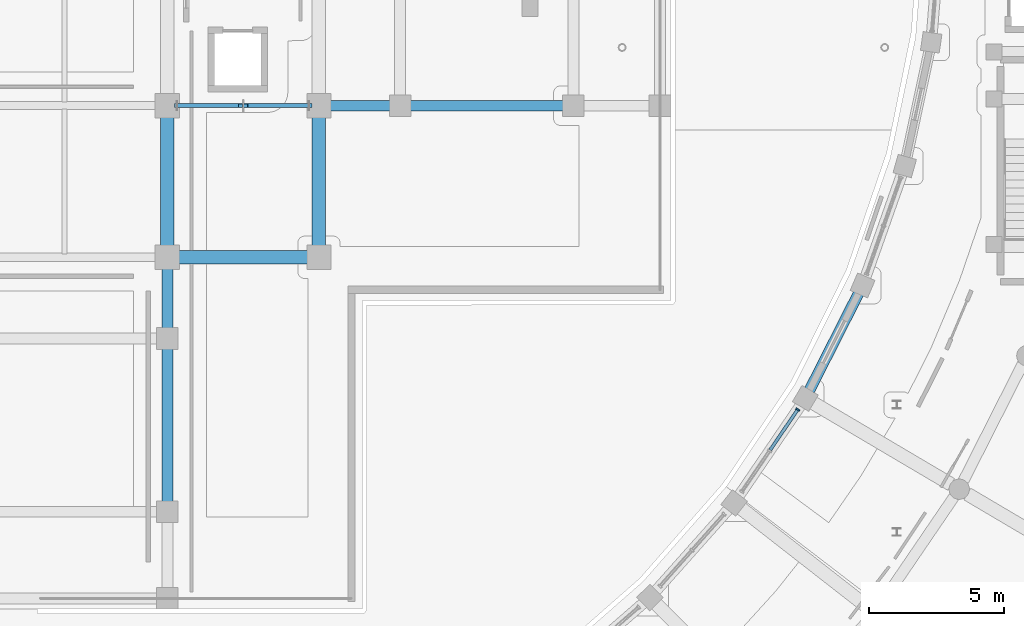
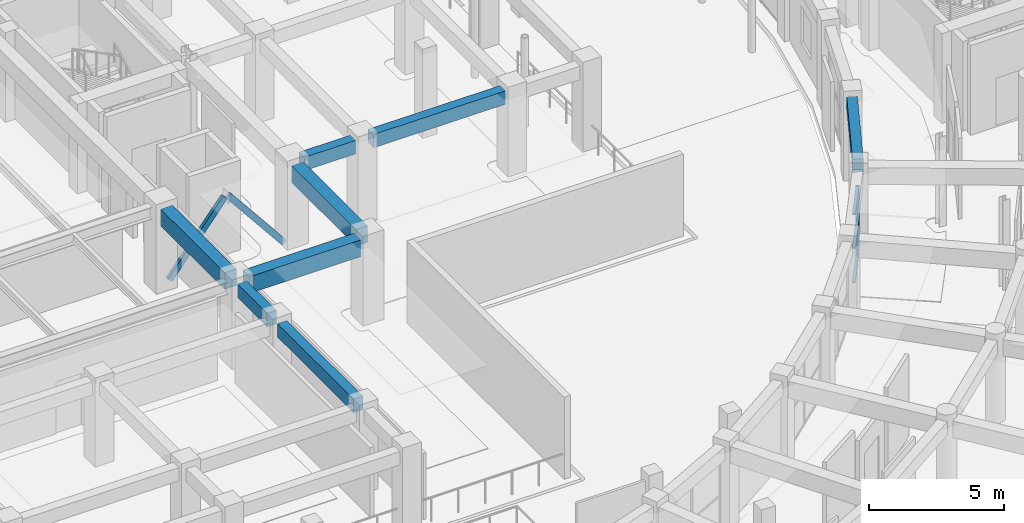
# One storey, part 33 of 87: 8 beams, 6 members, 1 element without a shape of its own.
"""IFC4 building model written with IfcOpenShell, lengths in metres."""

from ifc_helpers import new_model, si_unit, direction, frame, origin, origin_2d, place, context, subcontext, project, spatial, rectangle, hollow_rectangle, extrude, material, material_profile, profile_set, type_object, element, aggregate, save


model = new_model("IFC4")

# Units and contexts
model_context = context("Model", 3, precision=1e-05, world=origin(), true_north=direction((0.0, 1.0)))
body_context = subcontext(model_context, "Body", "Model", "MODEL_VIEW")
ifc_project = project(units=[si_unit("LENGTHUNIT", "METRE"), si_unit("AREAUNIT", "SQUARE_METRE"), si_unit("VOLUMEUNIT", "CUBIC_METRE"), si_unit("PLANEANGLEUNIT", "RADIAN"), si_unit("MASSUNIT", "GRAM", prefix="KILO")], contexts=[model_context])

# Site, building, storey
site_placement = place(None, origin())
site = spatial("IfcSite", under=ifc_project, at=site_placement, CompositionType="ELEMENT")
building_placement = place(site_placement, origin())
building = spatial("IfcBuilding", under=site, at=building_placement, Name="Saryqyr Civic Hall", CompositionType="ELEMENT")
storey_placement = place(building_placement, frame((0.0, 0.0, 5.10009765625)))
storey = spatial("IfcBuildingStorey", under=building, at=storey_placement, Name="L01", CompositionType="ELEMENT", Elevation=5.10009765625)

# Curtain wall, members
ifc_material_1 = material(Name="Anodised aluminium and triple low-E glass", Category="aluminium")
curtain_wall_type = type_object("IfcCurtainWallType", Name="ENV-CW-STD-18", PredefinedType="NOTDEFINED", material=ifc_material_1)
curtain_wall_placement = place(storey_placement, origin())
curtain_wall = element("IfcCurtainWall", 1, at=curtain_wall_placement, inside=storey, type_object=curtain_wall_type, Name="Curtain wall V5-CWI-L01-05", PredefinedType="NOTDEFINED")
ifc_material_2 = material(Name="Anodised aluminium", Category="aluminium")
ifc_material_profile_1 = material_profile(ifc_material_2, rectangle(XDim=0.06005859375, YDim=0.159912109375, at=origin_2d()), Name="ALU MULLION 60x160")
ifc_profile_set_1 = profile_set([ifc_material_profile_1], Name="Anodised aluminium")
member_type_1 = type_object("IfcMemberType", Name="ENV-CW-MUL-180", PredefinedType="MULLION", material=ifc_profile_set_1)
member_1_placement = place(storey_placement, frame((87.8857421875, 65.17431640625, 0.0), z_axis=(0.0, 0.0, 1.0), x_axis=(0.563119759928, 0.826375299715, 0.0)))
member_1 = element("IfcMember", 2, at=member_1_placement, type_object=member_type_1, Name="CW-18 mullion 3", PredefinedType="MULLION", context=body_context, shape_type="SweptSolid", body=[
    extrude(rectangle(XDim=0.06005859375, YDim=0.159912109375, at=origin_2d()), origin(), (0.0, 0.0, 1.0), 3.14501953125),
])
ifc_material_profile_2 = material_profile(ifc_material_2, rectangle(XDim=0.1201171875, YDim=0.06005859375, at=origin_2d()), Name="ALU TRANSOM 120x60")
ifc_profile_set_2 = profile_set([ifc_material_profile_2], Name="Anodised aluminium")
member_type_2 = type_object("IfcMemberType", Name="ENV-CW-TRN-150", PredefinedType="USERDEFINED", material=ifc_profile_set_2)
member_2_placement = place(storey_placement, frame((86.868896484375, 63.68212890625, 0.02978515625), z_axis=(0.563174691322, 0.826337864953, 0.0), x_axis=(-0.826337864953, 0.563174691322, 0.0)))
member_2 = element("IfcMember", 3, at=member_2_placement, type_object=member_type_2, Name="CW-18 transom 2.1", ObjectType="TRANSOM", PredefinedType="USERDEFINED", context=body_context, shape_type="SweptSolid", body=[
    extrude(rectangle(XDim=0.1201171875, YDim=0.06005859375, at=origin_2d()), origin(), (0.0, 0.0, 1.0), 1.775634765625),
])
member_3_placement = place(storey_placement, frame((86.868896484375, 63.68212890625, 1.572021484375), z_axis=(0.563174691322, 0.826337864953, 0.0), x_axis=(-0.826337864953, 0.563174691322, 0.0)))
member_3 = element("IfcMember", 4, at=member_3_placement, type_object=member_type_2, Name="CW-18 transom 2.2", ObjectType="TRANSOM", PredefinedType="USERDEFINED", context=body_context, shape_type="SweptSolid", body=[
    extrude(rectangle(XDim=0.1201171875, YDim=0.06005859375, at=origin_2d()), origin(), (0.0, 0.0, 1.0), 1.775634765625),
])
member_4_placement = place(storey_placement, frame((86.868896484375, 63.68212890625, 3.114990234375), z_axis=(0.563174691322, 0.826337864953, 0.0), x_axis=(-0.826337864953, 0.563174691322, 0.0)))
member_4 = element("IfcMember", 5, at=member_4_placement, type_object=member_type_2, Name="CW-18 transom 2.3", ObjectType="TRANSOM", PredefinedType="USERDEFINED", context=body_context, shape_type="SweptSolid", body=[
    extrude(rectangle(XDim=0.1201171875, YDim=0.06005859375, at=origin_2d()), origin(), (0.0, 0.0, 1.0), 1.775634765625),
])
aggregate(curtain_wall, [member_1, member_2, member_3, member_4])

# Beams
ifc_material_3 = material(Name="Concrete C35/45", Category="concrete")
ifc_material_profile_3 = material_profile(ifc_material_3, rectangle(XDim=0.39990234375, YDim=0.60009765625, at=origin_2d()), Name="RC 400x600")
ifc_profile_set_3 = profile_set([ifc_material_profile_3], Name="Concrete C35/45")
beam_type_1 = type_object("IfcBeamType", Name="STR-BM-RC400x600", PredefinedType="BEAM", material=ifc_profile_set_3)
for number, where, z_axis, x_axis, name in (
    (6, (73.574951171875, 76.39990234375, 3.469970703125), (1.0, 0.0, 0.0), (0.0, 1.0, 0.0), "Beam V1-TBM-24-L01"),
    (7, (64.60009765625, 61.77490234375, 3.469970703125), (0.0, 1.0, 0.0), (-1.0, 0.0, 0.0), "Beam V1-TBM-29-L01"),
):
    element("IfcBeam", number, at=place(storey_placement, frame(where, z_axis=z_axis, x_axis=x_axis)), inside=storey, type_object=beam_type_1, Name=name, PredefinedType="BEAM", context=body_context, shape_type="SweptSolid", body=[
        extrude(rectangle(XDim=0.39990234375, YDim=0.60009765625, at=origin_2d()), origin(), (0.0, 0.0, 1.0), 5.650146484375),
    ])
for number, where, z_axis, x_axis, name in (
    (8, (70.625, 76.39990234375, 3.469970703125), (1.0, 0.0, 0.0), (0.0, 1.0, 0.0), "Beam V1-TBM-44-L01"),
    (9, (64.60009765625, 68.175048828125, 3.469970703125), (0.0, 1.0, 0.0), (-1.0, 0.0, 0.0), "Beam V1-TBM-48-L01"),
):
    element("IfcBeam", number, at=place(storey_placement, frame(where, z_axis=z_axis, x_axis=x_axis)), inside=storey, type_object=beam_type_1, Name=name, PredefinedType="BEAM", context=body_context, shape_type="SweptSolid", body=[
        extrude(rectangle(XDim=0.39990234375, YDim=0.60009765625, at=origin_2d()), origin(), (0.0, 0.0, 1.0), 2.199951171875),
    ])
ifc_material_profile_4 = material_profile(ifc_material_3, rectangle(XDim=0.39990234375, YDim=0.60009765625, at=origin_2d()), Name="RC 400x600")
ifc_profile_set_4 = profile_set([ifc_material_profile_4], Name="Concrete C35/45")
beam_type_2 = type_object("IfcBeamType", Name="STR-BM-RC400x600-EXT", PredefinedType="BEAM", material=ifc_profile_set_4)
beam_placement = place(storey_placement, frame((88.3154296875, 65.87890625, 3.469970703125), z_axis=(0.451913956432, 0.8920615315, 0.0), x_axis=(-0.8920615315, 0.451913956432, 0.0)))
element("IfcBeam", 10, at=beam_placement, inside=storey, type_object=beam_type_2, Name="Beam V5-CBM-IN06-L01", PredefinedType="BEAM", context=body_context, shape_type="SweptSolid", body=[
    extrude(rectangle(XDim=0.39990234375, YDim=0.60009765625, at=origin_2d()), origin(), (0.0, 0.0, 1.0), 4.025390625),
])
ifc_material_4 = material(Name="Concrete C40/50", Category="concrete")
ifc_material_profile_5 = material_profile(ifc_material_4, rectangle(XDim=0.5, YDim=0.75, at=origin_2d()), Name="RC 500x750")
ifc_profile_set_5 = profile_set([ifc_material_profile_5], Name="Concrete C40/50")
beam_type_3 = type_object("IfcBeamType", Name="STR-BM-RC500x750", PredefinedType="BEAM", material=ifc_profile_set_5)
for number, where, z_axis, x_axis, name in (
    (11, (65.02490234375, 70.800048828125, 3.39501953125), (1.0, 0.0, 0.0), (0.0, 1.0, 0.0), "Beam V1-WBM-E1-L01"),
    (12, (64.60009765625, 71.22509765625, 3.39501953125), (0.0, 1.0, 0.0), (-1.0, 0.0, 0.0), "Beam V1-BM-NS31-L01"),
    (13, (70.199951171875, 71.22509765625, 3.39501953125), (0.0, 1.0, 0.0), (-1.0, 0.0, 0.0), "Beam V1-BM-NS41-L01"),
):
    element("IfcBeam", number, at=place(storey_placement, frame(where, z_axis=z_axis, x_axis=x_axis)), inside=storey, type_object=beam_type_3, Name=name, PredefinedType="BEAM", context=body_context, shape_type="SweptSolid", body=[
        extrude(rectangle(XDim=0.5, YDim=0.75, at=origin_2d()), origin(), (0.0, 0.0, 1.0), 4.75),
    ])

# Members
ifc_material_5 = material(Name="Steel S355", Category="steel")
ifc_material_profile_6 = material_profile(ifc_material_5, hollow_rectangle(XDim=0.14990234375, YDim=0.25, WallThickness=0.012451171875, at=origin_2d()), Name="RHS 250x150x12.5")
ifc_profile_set_6 = profile_set([ifc_material_profile_6], Name="Steel S355")
member_type_3 = type_object("IfcMemberType", Name="STR-BR-RHS250", PredefinedType="BRACE", material=ifc_profile_set_6)
for number, where, z_axis, x_axis, name in (
    (14, (64.9599609375, 76.39990234375, 0.119873046875), (0.627310953743, 0.0, 0.778768879267), (0.0, 1.0, 0.0), "Seismic chevron brace 2A L01"),
    (15, (69.840087890625, 76.39990234375, 0.119873046875), (-0.627310953743, 0.0, 0.778768879267), (0.0, -1.0, 0.0), "Seismic chevron brace 2B L01"),
):
    element("IfcMember", number, at=place(storey_placement, frame(where, z_axis=z_axis, x_axis=x_axis)), inside=storey, type_object=member_type_3, Name=name, PredefinedType="BRACE", context=body_context, shape_type="SweptSolid", body=[
        extrude(hollow_rectangle(XDim=0.14990234375, YDim=0.25, WallThickness=0.012451171875, at=origin_2d()), origin(), (0.0, 0.0, 1.0), 3.76220703125),
    ])

save(model, "model.ifc")
